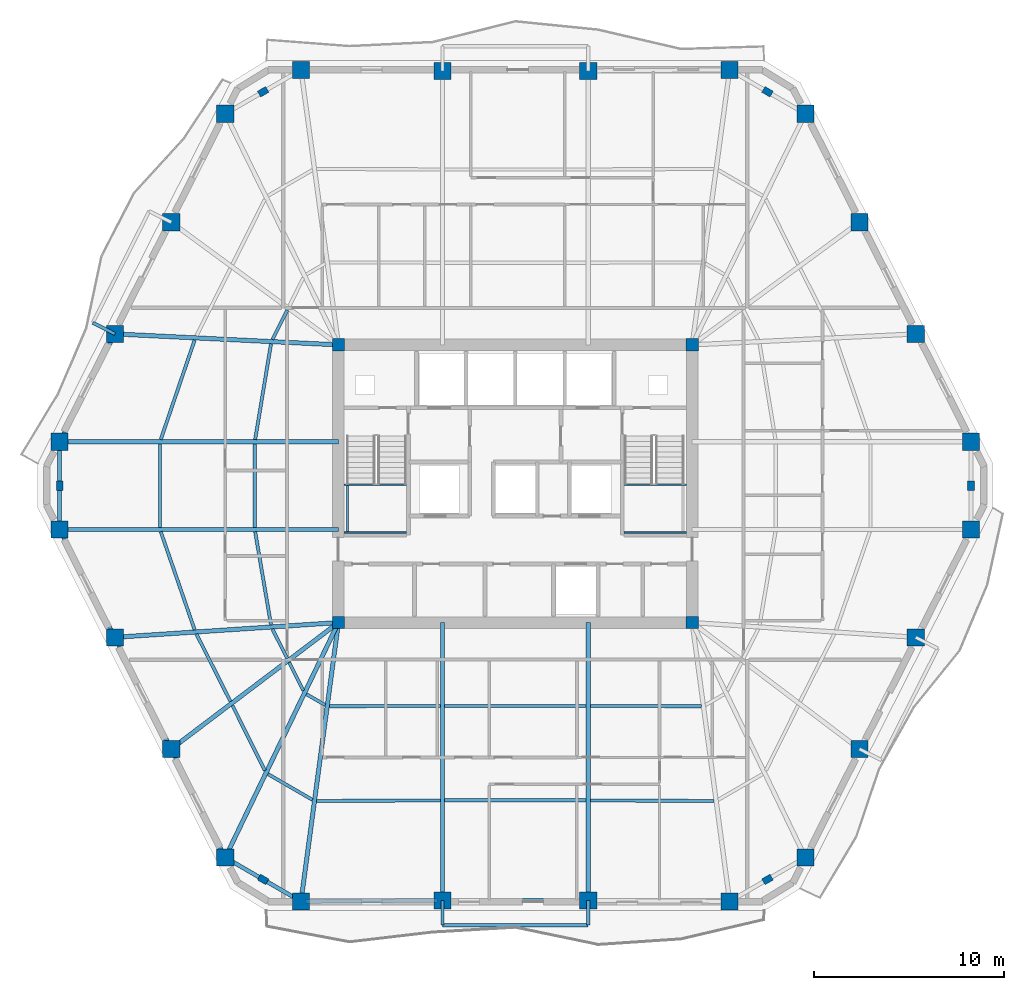
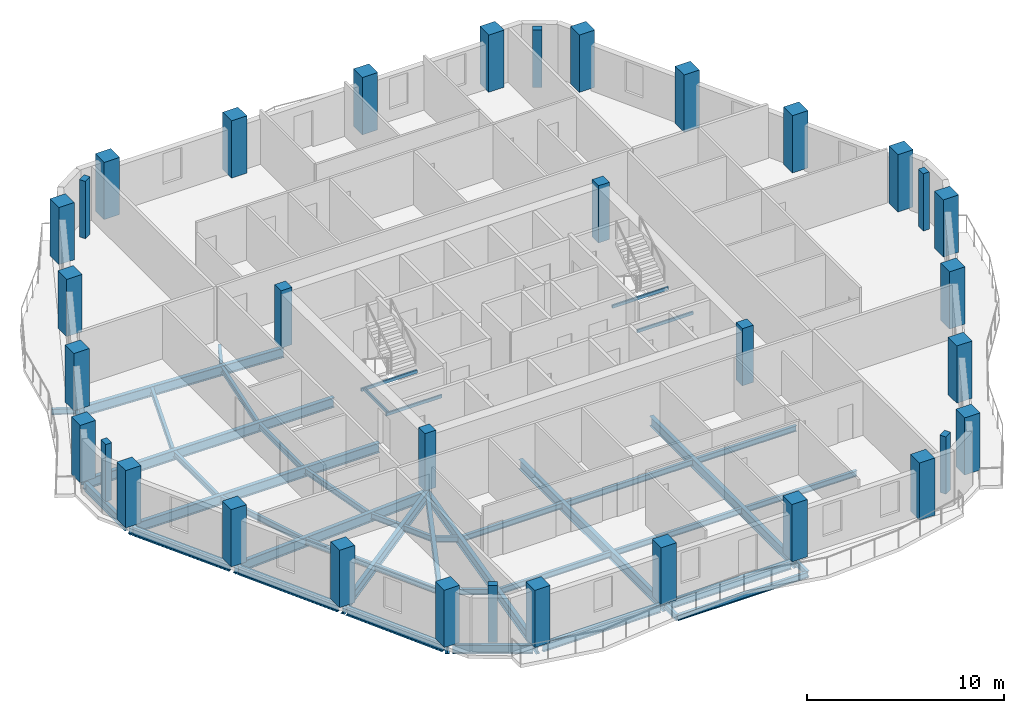
# One storey, part 1 of 10: 45 beams, 34 columns.
"""IFC4 building model written with IfcOpenShell, lengths in metres."""

from ifc_helpers import new_model, si_unit, direction, frame, origin, origin_2d, place, context, subcontext, project, spatial, rectangle, hollow_rectangle, i_section, extrude, material, material_profile, profile_set, type_object, element, save


model = new_model("IFC4")

# Units and contexts
model_context = context("Model", 3, precision=1e-05, world=origin(), true_north=direction((0.0, 1.0)))
body_context = subcontext(model_context, "Body", "Model", "MODEL_VIEW")
ifc_project = project(units=[si_unit("LENGTHUNIT", "METRE"), si_unit("AREAUNIT", "SQUARE_METRE"), si_unit("VOLUMEUNIT", "CUBIC_METRE"), si_unit("PLANEANGLEUNIT", "RADIAN"), si_unit("MASSUNIT", "GRAM", prefix="KILO")], contexts=[model_context])

# Site, building, storey
site_placement = place(None, origin())
site = spatial("IfcSite", under=ifc_project, at=site_placement, CompositionType="ELEMENT")
building_placement = place(site_placement, origin())
building = spatial("IfcBuilding", under=site, at=building_placement, Name="Cinnabar Lancet Tower", CompositionType="ELEMENT")
storey_placement = place(building_placement, frame((0.0, 0.0, 164.14990234375)))
storey = spatial("IfcBuildingStorey", under=building, at=storey_placement, Name="L43", CompositionType="ELEMENT", Elevation=164.14990234375)

# Columns
ifc_material_1 = material(Name="Concrete C60/75", Category="concrete")
ifc_material_profile_1 = material_profile(ifc_material_1, rectangle(XDim=0.64990234375, YDim=0.64990234375, at=origin_2d()), Name="RC-COL 650x650")
ifc_profile_set_1 = profile_set([ifc_material_profile_1], Name="Concrete C60/75")
column_type_1 = type_object("IfcColumnType", Name="STR-COL-CORE-650", PredefinedType="COLUMN", material=ifc_profile_set_1)
for number, where, z_axis, x_axis, name in (
    (1, (23.10009765625, 18.60009765625, 0.0), (0.0, 0.0, 1.0), (1.0, 0.0, 0.0), "L43 Core Corner Column SW"),
    (2, (41.699951171875, 18.60009765625, 0.0), (0.0, 0.0, 1.0), (1.0, 0.0, 0.0), "L43 Core Corner Column SE"),
    (3, (41.699951171875, 33.199951171875, 0.0), (0.0, 0.0, 1.0), (1.0, 0.0, 0.0), "L43 Core Corner Column NE"),
    (4, (23.10009765625, 33.199951171875, 0.0), (0.0, 0.0, 1.0), (1.0, 0.0, 0.0), "L43 Core Corner Column NW"),
):
    element("IfcColumn", number, at=place(storey_placement, frame(where, z_axis=z_axis, x_axis=x_axis)), inside=storey, type_object=column_type_1, Name=name, PredefinedType="COLUMN", context=body_context, shape_type="SweptSolid", body=[
        extrude(rectangle(XDim=0.64990234375, YDim=0.64990234375, at=origin_2d()), origin(), (0.0, 0.0, 1.0), 3.550048828125),
    ])
ifc_material_2 = material(Name="Concrete C60/75", Category="concrete")
ifc_material_profile_2 = material_profile(ifc_material_2, rectangle(XDim=0.5, YDim=0.35009765625, at=origin_2d()), Name="RC-PIL 500x350")
ifc_profile_set_2 = profile_set([ifc_material_profile_2], Name="Concrete C60/75")
column_type_2 = type_object("IfcColumnType", Name="STR-COL-PIL-500", PredefinedType="PILASTER", material=ifc_profile_set_2)
for number, where, z_axis, x_axis, name in (
    (5, (19.14111328125, 5.093017578125, 0.0), (0.0, 0.0, 1.0), (0.865160173452, -0.501495637342, 0.0), "L43 Chamfered Corner Pilaster 1"),
    (6, (45.658935546875, 5.093017578125, 0.0), (0.0, 0.0, 1.0), (0.865160173452, 0.501495637342, 0.0), "L43 Chamfered Corner Pilaster 2"),
    (7, (56.35693359375, 25.800048828125, 0.0), (0.0, 0.0, 1.0), (0.0, 1.0, 0.0), "L43 Chamfered Corner Pilaster 3"),
    (8, (45.658935546875, 46.508056640625, 0.0), (0.0, 0.0, 1.0), (-0.865160173452, 0.501495637342, 0.0), "L43 Chamfered Corner Pilaster 4"),
    (9, (19.14111328125, 46.508056640625, 0.0), (0.0, 0.0, 1.0), (-0.865160173452, -0.501495637342, 0.0), "L43 Chamfered Corner Pilaster 5"),
    (10, (8.443115234375, 25.800048828125, 0.0), (0.0, 0.0, 1.0), (0.0, -1.0, 0.0), "L43 Chamfered Corner Pilaster 6"),
):
    element("IfcColumn", number, at=place(storey_placement, frame(where, z_axis=z_axis, x_axis=x_axis)), inside=storey, type_object=column_type_2, Name=name, PredefinedType="PILASTER", context=body_context, shape_type="SweptSolid", body=[
        extrude(rectangle(XDim=0.5, YDim=0.35009765625, at=origin_2d()), origin(), (0.0, 0.0, 1.0), 3.550048828125),
    ])
ifc_material_3 = material(Name="Concrete C60/75", Category="concrete")
ifc_material_profile_3 = material_profile(ifc_material_3, rectangle(XDim=0.89990234375, YDim=0.89990234375, at=origin_2d()), Name="RC-COL 900x900")
ifc_profile_set_3 = profile_set([ifc_material_profile_3], Name="Concrete C60/75")
column_type_3 = type_object("IfcColumnType", Name="STR-COL-TUBE-900", PredefinedType="COLUMN", material=ifc_profile_set_3)
for number, where, z_axis, x_axis, name in (
    (11, (21.131103515625, 3.93896484375, 0.0), (0.0, 0.0, 1.0), (1.0, 0.0, 0.0), "L43 Perimeter Tube Column 1"),
    (12, (28.568115234375, 3.991943359375, 0.0), (0.0, 0.0, 1.0), (1.0, 0.0, 0.0), "L43 Perimeter Tube Column 2"),
    (13, (36.23193359375, 3.991943359375, 0.0), (0.0, 0.0, 1.0), (1.0, 0.0, 0.0), "L43 Perimeter Tube Column 3"),
    (14, (43.6689453125, 3.93896484375, 0.0), (0.0, 0.0, 1.0), (1.0, 0.0, 0.0), "L43 Perimeter Tube Column 4"),
    (15, (47.64892578125, 6.24609375, 0.0), (0.0, 0.0, 1.0), (1.0, 0.0, 0.0), "L43 Perimeter Tube Column 5"),
    (16, (50.489013671875, 11.955078125, 0.0), (0.0, 0.0, 1.0), (1.0, 0.0, 0.0), "L43 Perimeter Tube Column 6"),
    (17, (53.451904296875, 17.823974609375, 0.0), (0.0, 0.0, 1.0), (1.0, 0.0, 0.0), "L43 Perimeter Tube Column 7"),
    (18, (56.35693359375, 23.490966796875, 0.0), (0.0, 0.0, 1.0), (1.0, 0.0, 0.0), "L43 Perimeter Tube Column 8"),
    (19, (56.35693359375, 28.10888671875, 0.0), (0.0, 0.0, 1.0), (1.0, 0.0, 0.0), "L43 Perimeter Tube Column 9"),
    (20, (53.451904296875, 33.77587890625, 0.0), (0.0, 0.0, 1.0), (1.0, 0.0, 0.0), "L43 Perimeter Tube Column 10"),
    (21, (50.489013671875, 39.64501953125, 0.0), (0.0, 0.0, 1.0), (1.0, 0.0, 0.0), "L43 Perimeter Tube Column 11"),
    (22, (47.64892578125, 45.35400390625, 0.0), (0.0, 0.0, 1.0), (1.0, 0.0, 0.0), "L43 Perimeter Tube Column 12"),
    (23, (43.6689453125, 47.660888671875, 0.0), (0.0, 0.0, 1.0), (1.0, 0.0, 0.0), "L43 Perimeter Tube Column 13"),
    (24, (36.23193359375, 47.60791015625, 0.0), (0.0, 0.0, 1.0), (1.0, 0.0, 0.0), "L43 Perimeter Tube Column 14"),
    (25, (28.568115234375, 47.60791015625, 0.0), (0.0, 0.0, 1.0), (1.0, 0.0, 0.0), "L43 Perimeter Tube Column 15"),
    (26, (21.131103515625, 47.660888671875, 0.0), (0.0, 0.0, 1.0), (1.0, 0.0, 0.0), "L43 Perimeter Tube Column 16"),
    (27, (17.15087890625, 45.35400390625, 0.0), (0.0, 0.0, 1.0), (1.0, 0.0, 0.0), "L43 Perimeter Tube Column 17"),
    (28, (14.31103515625, 39.64501953125, 0.0), (0.0, 0.0, 1.0), (1.0, 0.0, 0.0), "L43 Perimeter Tube Column 18"),
    (29, (11.347900390625, 33.77587890625, 0.0), (0.0, 0.0, 1.0), (1.0, 0.0, 0.0), "L43 Perimeter Tube Column 19"),
    (30, (8.443115234375, 28.10888671875, 0.0), (0.0, 0.0, 1.0), (1.0, 0.0, 0.0), "L43 Perimeter Tube Column 20"),
    (31, (8.443115234375, 23.490966796875, 0.0), (0.0, 0.0, 1.0), (1.0, 0.0, 0.0), "L43 Perimeter Tube Column 21"),
    (32, (11.347900390625, 17.823974609375, 0.0), (0.0, 0.0, 1.0), (1.0, 0.0, 0.0), "L43 Perimeter Tube Column 22"),
    (33, (14.31103515625, 11.955078125, 0.0), (0.0, 0.0, 1.0), (1.0, 0.0, 0.0), "L43 Perimeter Tube Column 23"),
    (34, (17.15087890625, 6.24609375, 0.0), (0.0, 0.0, 1.0), (1.0, 0.0, 0.0), "L43 Perimeter Tube Column 24"),
):
    element("IfcColumn", number, at=place(storey_placement, frame(where, z_axis=z_axis, x_axis=x_axis)), inside=storey, type_object=column_type_3, Name=name, PredefinedType="COLUMN", context=body_context, shape_type="SweptSolid", body=[
        extrude(rectangle(XDim=0.89990234375, YDim=0.89990234375, at=origin_2d()), origin(), (0.0, 0.0, 1.0), 3.550048828125),
    ])

# Beams
ifc_material_4 = material(Name="Structural steel S355", Category="steel")
ifc_material_profile_4 = material_profile(ifc_material_4, i_section(OverallWidth=0.17138671875, OverallDepth=0.35498046875, WebThickness=0.00732421875, FlangeThickness=0.011474609375, FilletRadius=0.01025390625, at=origin_2d()), Name="UKB 356x171x51")
ifc_profile_set_4 = profile_set([ifc_material_profile_4], Name="Structural steel S355")
beam_type_1 = type_object("IfcBeamType", Name="STR-BM-JST-356", PredefinedType="JOIST", material=ifc_profile_set_4)
beam_1_placement = place(storey_placement, frame((13.759033203125, 23.376953125, -0.387939453125), z_axis=(0.326162915393, -0.945313573701, 0.0), x_axis=(0.945313573701, 0.326162915393, 0.0)))
element("IfcBeam", 35, at=beam_1_placement, inside=storey, type_object=beam_type_1, Name="L43 Secondary Floor Joist 1", PredefinedType="JOIST", context=body_context, shape_type="SweptSolid", body=[
    extrude(i_section(OverallWidth=0.17138671875, OverallDepth=0.35498046875, WebThickness=0.00732421875, FlangeThickness=0.011474609375, FilletRadius=0.01025390625, at=origin_2d()), origin(), (0.0, 0.0, 1.0), 5.46044921875),
])
beam_2_placement = place(storey_placement, frame((18.721923828125, 23.376953125, -0.387939453125), z_axis=(0.167697718414, -0.985838463055, 0.0), x_axis=(0.985838463055, 0.167697718414, 0.0)))
element("IfcBeam", 36, at=beam_2_placement, inside=storey, type_object=beam_type_1, Name="L43 Secondary Floor Joist 2", PredefinedType="JOIST", context=body_context, shape_type="SweptSolid", body=[
    extrude(i_section(OverallWidth=0.17138671875, OverallDepth=0.35498046875, WebThickness=0.00732421875, FlangeThickness=0.011474609375, FilletRadius=0.01025390625, at=origin_2d()), origin(), (0.0, 0.0, 1.0), 4.96728515625),
])
beam_3_placement = place(storey_placement, frame((15.635009765625, 17.992919921875, -0.387939453125), z_axis=(0.450656035687, -0.892697674187, 0.0), x_axis=(0.892697674187, 0.450656035687, 0.0)))
element("IfcBeam", 37, at=beam_3_placement, inside=storey, type_object=beam_type_1, Name="L43 Secondary Floor Joist 3", PredefinedType="JOIST", context=body_context, shape_type="SweptSolid", body=[
    extrude(i_section(OverallWidth=0.17138671875, OverallDepth=0.35498046875, WebThickness=0.00732421875, FlangeThickness=0.011474609375, FilletRadius=0.01025390625, at=origin_2d()), origin(), (0.0, 0.0, 1.0), 3.9677734375),
])
beam_4_placement = place(storey_placement, frame((19.6298828125, 18.257080078125, -0.387939453125), z_axis=(0.45064755491, -0.892701955444, 0.0), x_axis=(0.892701955444, 0.45064755491, 0.0)))
element("IfcBeam", 38, at=beam_4_placement, inside=storey, type_object=beam_type_1, Name="L43 Secondary Floor Joist 4", PredefinedType="JOIST", context=body_context, shape_type="SweptSolid", body=[
    extrude(i_section(OverallWidth=0.17138671875, OverallDepth=0.35498046875, WebThickness=0.00732421875, FlangeThickness=0.011474609375, FilletRadius=0.01025390625, at=origin_2d()), origin(), (0.0, 0.0, 1.0), 1.733154296875),
])
beam_5_placement = place(storey_placement, frame((17.527099609375, 14.242919921875, -0.387939453125), z_axis=(0.445320605596, -0.895371184611, 0.0), x_axis=(0.895371184611, 0.445320605596, 0.0)))
element("IfcBeam", 39, at=beam_5_placement, inside=storey, type_object=beam_type_1, Name="L43 Secondary Floor Joist 5", PredefinedType="JOIST", context=body_context, shape_type="SweptSolid", body=[
    extrude(i_section(OverallWidth=0.17138671875, OverallDepth=0.35498046875, WebThickness=0.00732421875, FlangeThickness=0.011474609375, FilletRadius=0.01025390625, at=origin_2d()), origin(), (0.0, 0.0, 1.0), 3.819580078125),
])
beam_6_placement = place(storey_placement, frame((20.514892578125, 16.5029296875, -0.387939453125), z_axis=(0.445322008813, -0.895370486708, 0.0), x_axis=(0.895370486708, 0.445322008813, 0.0)))
element("IfcBeam", 40, at=beam_6_placement, inside=storey, type_object=beam_type_1, Name="L43 Secondary Floor Joist 6", PredefinedType="JOIST", context=body_context, shape_type="SweptSolid", body=[
    extrude(i_section(OverallWidth=0.17138671875, OverallDepth=0.35498046875, WebThickness=0.00732421875, FlangeThickness=0.011474609375, FilletRadius=0.01025390625, at=origin_2d()), origin(), (0.0, 0.0, 1.0), 1.65283203125),
])
beam_7_placement = place(storey_placement, frame((19.39208984375, 10.635986328125, -0.387939453125), z_axis=(0.865150214692, -0.501512817403, 0.0), x_axis=(0.501512817403, 0.865150214692, 0.0)))
element("IfcBeam", 41, at=beam_7_placement, inside=storey, type_object=beam_type_1, Name="L43 Secondary Floor Joist 7", PredefinedType="JOIST", context=body_context, shape_type="SweptSolid", body=[
    extrude(i_section(OverallWidth=0.17138671875, OverallDepth=0.35498046875, WebThickness=0.00732421875, FlangeThickness=0.011474609375, FilletRadius=0.01025390625, at=origin_2d()), origin(), (0.0, 0.0, 1.0), 2.70556640625),
])
beam_8_placement = place(storey_placement, frame((21.4140625, 14.8359375, -0.387939453125), z_axis=(0.865426285481, -0.501036270542, 0.0), x_axis=(0.501036270542, 0.865426285481, 0.0)))
element("IfcBeam", 42, at=beam_8_placement, inside=storey, type_object=beam_type_1, Name="L43 Secondary Floor Joist 8", PredefinedType="JOIST", context=body_context, shape_type="SweptSolid", body=[
    extrude(i_section(OverallWidth=0.17138671875, OverallDepth=0.35498046875, WebThickness=0.00732421875, FlangeThickness=0.011474609375, FilletRadius=0.01025390625, at=origin_2d()), origin(), (0.0, 0.0, 1.0), 1.1416015625),
])
beam_9_placement = place(storey_placement, frame((21.955078125, 9.218017578125, -0.387939453125), z_axis=(0.999987891549, 0.004921052359, 0.0), x_axis=(-0.004921052359, 0.999987891549, 0.0)))
element("IfcBeam", 43, at=beam_9_placement, inside=storey, type_object=beam_type_1, Name="L43 Secondary Floor Joist 9", PredefinedType="JOIST", context=body_context, shape_type="SweptSolid", body=[
    extrude(i_section(OverallWidth=0.17138671875, OverallDepth=0.35498046875, WebThickness=0.00732421875, FlangeThickness=0.011474609375, FilletRadius=0.01025390625, at=origin_2d()), origin(), (0.0, 0.0, 1.0), 6.4990234375),
])
beam_10_placement = place(storey_placement, frame((22.6240234375, 14.201904296875, -0.387939453125), z_axis=(0.999996629591, 0.002596306157, 0.0), x_axis=(-0.002596306157, 0.999996629591, 0.0)))
element("IfcBeam", 44, at=beam_10_placement, inside=storey, type_object=beam_type_1, Name="L43 Secondary Floor Joist 10", PredefinedType="JOIST", context=body_context, shape_type="SweptSolid", body=[
    extrude(i_section(OverallWidth=0.17138671875, OverallDepth=0.35498046875, WebThickness=0.00732421875, FlangeThickness=0.011474609375, FilletRadius=0.01025390625, at=origin_2d()), origin(), (0.0, 0.0, 1.0), 5.830078125),
])
for number, where, z_axis, x_axis, name in (
    (45, (28.681884765625, 9.2509765625, -0.387939453125), (1.0, 0.0, 0.0), (0.0, 1.0, 0.0), "L43 Secondary Floor Joist 11"),
    (46, (28.681884765625, 14.218017578125, -0.387939453125), (1.0, 0.0, 0.0), (0.0, 1.0, 0.0), "L43 Secondary Floor Joist 12"),
):
    element("IfcBeam", number, at=place(storey_placement, frame(where, z_axis=z_axis, x_axis=x_axis)), inside=storey, type_object=beam_type_1, Name=name, PredefinedType="JOIST", context=body_context, shape_type="SweptSolid", body=[
        extrude(i_section(OverallWidth=0.17138671875, OverallDepth=0.35498046875, WebThickness=0.00732421875, FlangeThickness=0.011474609375, FilletRadius=0.01025390625, at=origin_2d()), origin(), (0.0, 0.0, 1.0), 7.43603515625),
    ])
beam_11_placement = place(storey_placement, frame((36.345947265625, 9.25, -0.387939453125), z_axis=(0.999987891549, -0.004921052359, 0.0), x_axis=(0.004921052359, 0.999987891549, 0.0)))
element("IfcBeam", 47, at=beam_11_placement, inside=storey, type_object=beam_type_1, Name="L43 Secondary Floor Joist 13", PredefinedType="JOIST", context=body_context, shape_type="SweptSolid", body=[
    extrude(i_section(OverallWidth=0.17138671875, OverallDepth=0.35498046875, WebThickness=0.00732421875, FlangeThickness=0.011474609375, FilletRadius=0.01025390625, at=origin_2d()), origin(), (0.0, 0.0, 1.0), 6.4990234375),
])
beam_12_placement = place(storey_placement, frame((36.345947265625, 14.217041015625, -0.387939453125), z_axis=(0.999996629591, -0.002596306157, 0.0), x_axis=(0.002596306157, 0.999996629591, 0.0)))
element("IfcBeam", 48, at=beam_12_placement, inside=storey, type_object=beam_type_1, Name="L43 Secondary Floor Joist 14", PredefinedType="JOIST", context=body_context, shape_type="SweptSolid", body=[
    extrude(i_section(OverallWidth=0.17138671875, OverallDepth=0.35498046875, WebThickness=0.00732421875, FlangeThickness=0.011474609375, FilletRadius=0.01025390625, at=origin_2d()), origin(), (0.0, 0.0, 1.0), 5.830078125),
])
beam_13_placement = place(storey_placement, frame((20.410888671875, 35.030029296875, -0.387939453125), z_axis=(-0.45031262143, -0.892870955391, 0.0), x_axis=(0.892870955391, -0.45031262143, 0.0)))
element("IfcBeam", 49, at=beam_13_placement, inside=storey, type_object=beam_type_1, Name="L43 Secondary Floor Joist 44", PredefinedType="JOIST", context=body_context, shape_type="SweptSolid", body=[
    extrude(i_section(OverallWidth=0.17138671875, OverallDepth=0.35498046875, WebThickness=0.00732421875, FlangeThickness=0.011474609375, FilletRadius=0.01025390625, at=origin_2d()), origin(), (0.0, 0.0, 1.0), 1.731689453125),
])
beam_14_placement = place(storey_placement, frame((15.5400390625, 33.4560546875, -0.387939453125), z_axis=(-0.322342106762, -0.946623244067, 0.0), x_axis=(0.946623244067, -0.322342106762, 0.0)))
element("IfcBeam", 50, at=beam_14_placement, inside=storey, type_object=beam_type_1, Name="L43 Secondary Floor Joist 45", PredefinedType="JOIST", context=body_context, shape_type="SweptSolid", body=[
    extrude(i_section(OverallWidth=0.17138671875, OverallDepth=0.35498046875, WebThickness=0.00732421875, FlangeThickness=0.011474609375, FilletRadius=0.01025390625, at=origin_2d()), origin(), (0.0, 0.0, 1.0), 5.5283203125),
])
beam_15_placement = place(storey_placement, frame((19.555908203125, 33.259033203125, -0.387939453125), z_axis=(-0.163375154205, -0.98656401667, 0.0), x_axis=(0.98656401667, -0.163375154205, 0.0)))
element("IfcBeam", 51, at=beam_15_placement, inside=storey, type_object=beam_type_1, Name="L43 Secondary Floor Joist 46", PredefinedType="JOIST", context=body_context, shape_type="SweptSolid", body=[
    extrude(i_section(OverallWidth=0.17138671875, OverallDepth=0.35498046875, WebThickness=0.00732421875, FlangeThickness=0.011474609375, FilletRadius=0.01025390625, at=origin_2d()), origin(), (0.0, 0.0, 1.0), 5.104736328125),
])
for number, where, z_axis, x_axis, name in (
    (52, (13.719970703125, 27.9951171875, -0.387939453125), (0.0, -1.0, 0.0), (1.0, 0.0, 0.0), "L43 Secondary Floor Joist 47"),
    (53, (18.702880859375, 27.9951171875, -0.387939453125), (0.0, -1.0, 0.0), (1.0, 0.0, 0.0), "L43 Secondary Floor Joist 48"),
):
    element("IfcBeam", number, at=place(storey_placement, frame(where, z_axis=z_axis, x_axis=x_axis)), inside=storey, type_object=beam_type_1, Name=name, PredefinedType="JOIST", context=body_context, shape_type="SweptSolid", body=[
        extrude(i_section(OverallWidth=0.17138671875, OverallDepth=0.35498046875, WebThickness=0.00732421875, FlangeThickness=0.011474609375, FilletRadius=0.01025390625, at=origin_2d()), origin(), (0.0, 0.0, 1.0), 4.39013671875),
    ])
ifc_material_5 = material(Name="Structural steel S355", Category="steel")
ifc_material_profile_5 = material_profile(ifc_material_5, hollow_rectangle(XDim=0.10009765625, YDim=0.199951171875, WallThickness=0.008056640625, InnerFilletRadius=0.00390625, OuterFilletRadius=0.011962890625, at=origin_2d()), Name="RHS 200x100x8")
ifc_profile_set_5 = profile_set([ifc_material_profile_5], Name="Structural steel S355")
beam_type_2 = type_object("IfcBeamType", Name="STR-BM-LND-203", PredefinedType="BEAM", material=ifc_profile_set_5)
for number, where, z_axis, x_axis, name in (
    (54, (23.39990234375, 23.330078125, 1.47509765625), (1.0, 0.0, 0.0), (0.0, 1.0, 0.0), "L43 ST-1-L43 Landing Support Beam S"),
    (55, (23.39990234375, 25.844970703125, 1.47509765625), (1.0, 0.0, 0.0), (0.0, 1.0, 0.0), "L43 ST-1-L43 Landing Support Beam N"),
):
    element("IfcBeam", number, at=place(storey_placement, frame(where, z_axis=z_axis, x_axis=x_axis)), inside=storey, type_object=beam_type_2, Name=name, PredefinedType="BEAM", context=body_context, shape_type="SweptSolid", body=[
        extrude(hollow_rectangle(XDim=0.10009765625, YDim=0.199951171875, WallThickness=0.008056640625, InnerFilletRadius=0.00390625, OuterFilletRadius=0.011962890625, at=origin_2d()), origin(), (0.0, 0.0, 1.0), 3.280029296875),
    ])
beam_16_placement = place(storey_placement, frame((23.580078125, 23.3798828125, 1.47509765625), z_axis=(0.0, 1.0, 0.0), x_axis=(-1.0, 0.0, 0.0)))
element("IfcBeam", 56, at=beam_16_placement, inside=storey, type_object=beam_type_2, Name="L43 ST-1-L43 Landing Side Trimmer Beam", PredefinedType="BEAM", context=body_context, shape_type="SweptSolid", body=[
    extrude(hollow_rectangle(XDim=0.10009765625, YDim=0.199951171875, WallThickness=0.008056640625, InnerFilletRadius=0.00390625, OuterFilletRadius=0.011962890625, at=origin_2d()), origin(), (0.0, 0.0, 1.0), 2.4150390625),
])
for number, where, z_axis, x_axis, name in (
    (57, (38.1201171875, 23.330078125, 1.47509765625), (1.0, 0.0, 0.0), (0.0, 1.0, 0.0), "L43 ST-2-L43 Landing Support Beam S"),
    (58, (38.1201171875, 25.844970703125, 1.47509765625), (1.0, 0.0, 0.0), (0.0, 1.0, 0.0), "L43 ST-2-L43 Landing Support Beam N"),
):
    element("IfcBeam", number, at=place(storey_placement, frame(where, z_axis=z_axis, x_axis=x_axis)), inside=storey, type_object=beam_type_2, Name=name, PredefinedType="BEAM", context=body_context, shape_type="SweptSolid", body=[
        extrude(hollow_rectangle(XDim=0.10009765625, YDim=0.199951171875, WallThickness=0.008056640625, InnerFilletRadius=0.00390625, OuterFilletRadius=0.011962890625, at=origin_2d()), origin(), (0.0, 0.0, 1.0), 3.27978515625),
    ])
ifc_material_6 = material(Name="Structural steel S355", Category="steel")
ifc_material_profile_6 = material_profile(ifc_material_6, i_section(OverallWidth=0.209228515625, OverallDepth=0.533203125, WebThickness=0.010009765625, FlangeThickness=0.015625, FilletRadius=0.0126953125, at=origin_2d()), Name="UKB 533x210x92")
ifc_profile_set_6 = profile_set([ifc_material_profile_6], Name="Structural steel S355")
beam_type_3 = type_object("IfcBeamType", Name="STR-BM-SPN-533", PredefinedType="SPANDREL", material=ifc_profile_set_6)
beam_17_placement = place(storey_placement, frame((21.381103515625, 3.94091796875, -0.476806640625), z_axis=(0.999974980359, 0.007073800628, 0.0), x_axis=(-0.007073800628, 0.999974980359, 0.0)))
element("IfcBeam", 59, at=beam_17_placement, inside=storey, type_object=beam_type_3, Name="L43 Perimeter Spandrel 1", PredefinedType="SPANDREL", context=body_context, shape_type="SweptSolid", body=[
    extrude(i_section(OverallWidth=0.209228515625, OverallDepth=0.533203125, WebThickness=0.010009765625, FlangeThickness=0.015625, FilletRadius=0.0126953125, at=origin_2d()), origin(), (0.0, 0.0, 1.0), 6.937255859375),
])
beam_18_placement = place(storey_placement, frame((28.818115234375, 3.991943359375, -0.476806640625), z_axis=(1.0, 0.0, 0.0), x_axis=(0.0, 1.0, 0.0)))
element("IfcBeam", 60, at=beam_18_placement, inside=storey, type_object=beam_type_3, Name="L43 Perimeter Spandrel 2", PredefinedType="SPANDREL", context=body_context, shape_type="SweptSolid", body=[
    extrude(i_section(OverallWidth=0.209228515625, OverallDepth=0.533203125, WebThickness=0.010009765625, FlangeThickness=0.015625, FilletRadius=0.0126953125, at=origin_2d()), origin(), (0.0, 0.0, 1.0), 7.163818359375),
])
beam_19_placement = place(storey_placement, frame((11.23388671875, 33.553955078125, -0.476806640625), z_axis=(-0.456126618405, -0.889914888055, 0.0), x_axis=(0.889914888055, -0.456126618405, 0.0)))
element("IfcBeam", 61, at=beam_19_placement, inside=storey, type_object=beam_type_3, Name="L43 Perimeter Spandrel 19", PredefinedType="SPANDREL", context=body_context, shape_type="SweptSolid", body=[
    extrude(i_section(OverallWidth=0.209228515625, OverallDepth=0.533203125, WebThickness=0.010009765625, FlangeThickness=0.015625, FilletRadius=0.0126953125, at=origin_2d()), origin(), (0.0, 0.0, 1.0), 5.868896484375),
])
beam_20_placement = place(storey_placement, frame((8.443115234375, 27.85888671875, -0.476806640625), z_axis=(0.0, -1.0, 0.0), x_axis=(1.0, 0.0, 0.0)))
element("IfcBeam", 62, at=beam_20_placement, inside=storey, type_object=beam_type_3, Name="L43 Perimeter Spandrel 20", PredefinedType="SPANDREL", context=body_context, shape_type="SweptSolid", body=[
    extrude(i_section(OverallWidth=0.209228515625, OverallDepth=0.533203125, WebThickness=0.010009765625, FlangeThickness=0.015625, FilletRadius=0.0126953125, at=origin_2d()), origin(), (0.0, 0.0, 1.0), 4.117919921875),
])
beam_21_placement = place(storey_placement, frame((8.556884765625, 23.26904296875, -0.476806640625), z_axis=(0.456109733574, -0.889923542187, 0.0), x_axis=(0.889923542187, 0.456109733574, 0.0)))
element("IfcBeam", 63, at=beam_21_placement, inside=storey, type_object=beam_type_3, Name="L43 Perimeter Spandrel 21", PredefinedType="SPANDREL", context=body_context, shape_type="SweptSolid", body=[
    extrude(i_section(OverallWidth=0.209228515625, OverallDepth=0.533203125, WebThickness=0.010009765625, FlangeThickness=0.015625, FilletRadius=0.0126953125, at=origin_2d()), origin(), (0.0, 0.0, 1.0), 5.869140625),
])
beam_22_placement = place(storey_placement, frame((11.4609375, 17.60107421875, -0.476806640625), z_axis=(0.450570325924, -0.892740937449, 0.0), x_axis=(0.892740937449, 0.450570325924, 0.0)))
element("IfcBeam", 64, at=beam_22_placement, inside=storey, type_object=beam_type_3, Name="L43 Perimeter Spandrel 22", PredefinedType="SPANDREL", context=body_context, shape_type="SweptSolid", body=[
    extrude(i_section(OverallWidth=0.209228515625, OverallDepth=0.533203125, WebThickness=0.010009765625, FlangeThickness=0.015625, FilletRadius=0.0126953125, at=origin_2d()), origin(), (0.0, 0.0, 1.0), 6.07470703125),
])
beam_23_placement = place(storey_placement, frame((14.422119140625, 11.73095703125, -0.476806640625), z_axis=(0.445501068635, -0.89528140707, 0.0), x_axis=(0.89528140707, 0.445501068635, 0.0)))
element("IfcBeam", 65, at=beam_23_placement, inside=storey, type_object=beam_type_3, Name="L43 Perimeter Spandrel 23", PredefinedType="SPANDREL", context=body_context, shape_type="SweptSolid", body=[
    extrude(i_section(OverallWidth=0.209228515625, OverallDepth=0.533203125, WebThickness=0.010009765625, FlangeThickness=0.015625, FilletRadius=0.0126953125, at=origin_2d()), origin(), (0.0, 0.0, 1.0), 5.87646484375),
])
beam_24_placement = place(storey_placement, frame((17.366943359375, 6.12109375, -0.476806640625), z_axis=(0.865112299906, -0.501578217781, 0.0), x_axis=(0.501578217781, 0.865112299906, 0.0)))
element("IfcBeam", 66, at=beam_24_placement, inside=storey, type_object=beam_type_3, Name="L43 Perimeter Spandrel 24", PredefinedType="SPANDREL", context=body_context, shape_type="SweptSolid", body=[
    extrude(i_section(OverallWidth=0.209228515625, OverallDepth=0.533203125, WebThickness=0.010009765625, FlangeThickness=0.015625, FilletRadius=0.0126953125, at=origin_2d()), origin(), (0.0, 0.0, 1.0), 4.101318359375),
])
ifc_material_7 = material(Name="Structural steel S355", Category="steel")
ifc_material_profile_7 = material_profile(ifc_material_7, i_section(OverallWidth=0.228271484375, OverallDepth=0.607666015625, WebThickness=0.010986328125, FlangeThickness=0.017333984375, FilletRadius=0.0126953125, at=origin_2d()), Name="UKB 610x229x113")
ifc_profile_set_7 = profile_set([ifc_material_profile_7], Name="Structural steel S355")
beam_type_4 = type_object("IfcBeamType", Name="STR-BM-UKB610-113", PredefinedType="BEAM", material=ifc_profile_set_7)
beam_25_placement = place(storey_placement, frame((14.31103515625, 11.955078125, -0.513916015625), z_axis=(0.797675450227, 0.603086955675, 0.0), x_axis=(-0.603086955675, 0.797675450227, 0.0)))
element("IfcBeam", 67, at=beam_25_placement, inside=storey, type_object=beam_type_4, Name="L43 Corner Collector Girder 1", PredefinedType="BEAM", context=body_context, shape_type="SweptSolid", body=[
    extrude(i_section(OverallWidth=0.228271484375, OverallDepth=0.607666015625, WebThickness=0.010986328125, FlangeThickness=0.017333984375, FilletRadius=0.0126953125, at=origin_2d()), origin(), (0.0, 0.0, 1.0), 11.018310546875),
])
beam_26_placement = place(storey_placement, frame((21.131103515625, 3.93896484375, -0.513916015625), z_axis=(0.133105256814, 0.991101907277, 0.0), x_axis=(-0.991101907277, 0.133105256814, 0.0)))
element("IfcBeam", 68, at=beam_26_placement, inside=storey, type_object=beam_type_4, Name="L43 Primary Floor Girder 1", PredefinedType="BEAM", context=body_context, shape_type="SweptSolid", body=[
    extrude(i_section(OverallWidth=0.228271484375, OverallDepth=0.607666015625, WebThickness=0.010986328125, FlangeThickness=0.017333984375, FilletRadius=0.0126953125, at=origin_2d()), origin(), (0.0, 0.0, 1.0), 14.792724609375),
])
for number, where, z_axis, x_axis, name in (
    (69, (28.568115234375, 3.991943359375, -0.513916015625), (0.0, 1.0, 0.0), (-1.0, 0.0, 0.0), "L43 Primary Floor Girder 2"),
    (70, (36.23193359375, 3.991943359375, -0.513916015625), (0.0, 1.0, 0.0), (-1.0, 0.0, 0.0), "L43 Primary Floor Girder 3"),
):
    element("IfcBeam", number, at=place(storey_placement, frame(where, z_axis=z_axis, x_axis=x_axis)), inside=storey, type_object=beam_type_4, Name=name, PredefinedType="BEAM", context=body_context, shape_type="SweptSolid", body=[
        extrude(i_section(OverallWidth=0.228271484375, OverallDepth=0.607666015625, WebThickness=0.010986328125, FlangeThickness=0.017333984375, FilletRadius=0.0126953125, at=origin_2d()), origin(), (0.0, 0.0, 1.0), 14.608154296875),
    ])
beam_27_placement = place(storey_placement, frame((11.347900390625, 33.77587890625, -0.513916015625), z_axis=(0.99880136637, -0.048947221955, 0.0), x_axis=(0.048947221955, 0.99880136637, 0.0)))
element("IfcBeam", 71, at=beam_27_placement, inside=storey, type_object=beam_type_4, Name="L43 Primary Floor Girder 19", PredefinedType="BEAM", context=body_context, shape_type="SweptSolid", body=[
    extrude(i_section(OverallWidth=0.228271484375, OverallDepth=0.607666015625, WebThickness=0.010986328125, FlangeThickness=0.017333984375, FilletRadius=0.0126953125, at=origin_2d()), origin(), (0.0, 0.0, 1.0), 11.766357421875),
])
for number, where, z_axis, x_axis, name in (
    (72, (8.443115234375, 28.10888671875, -0.513916015625), (1.0, 0.0, 0.0), (0.0, 1.0, 0.0), "L43 Primary Floor Girder 20"),
    (73, (8.443115234375, 23.490966796875, -0.513916015625), (1.0, 0.0, 0.0), (0.0, 1.0, 0.0), "L43 Primary Floor Girder 21"),
):
    element("IfcBeam", number, at=place(storey_placement, frame(where, z_axis=z_axis, x_axis=x_axis)), inside=storey, type_object=beam_type_4, Name=name, PredefinedType="BEAM", context=body_context, shape_type="SweptSolid", body=[
        extrude(i_section(OverallWidth=0.228271484375, OverallDepth=0.607666015625, WebThickness=0.010986328125, FlangeThickness=0.017333984375, FilletRadius=0.0126953125, at=origin_2d()), origin(), (0.0, 0.0, 1.0), 14.656982421875),
    ])
beam_28_placement = place(storey_placement, frame((11.347900390625, 17.823974609375, -0.513916015625), z_axis=(0.997826421842, 0.065897131002, 0.0), x_axis=(-0.065897131002, 0.997826421842, 0.0)))
element("IfcBeam", 74, at=beam_28_placement, inside=storey, type_object=beam_type_4, Name="L43 Primary Floor Girder 22", PredefinedType="BEAM", context=body_context, shape_type="SweptSolid", body=[
    extrude(i_section(OverallWidth=0.228271484375, OverallDepth=0.607666015625, WebThickness=0.010986328125, FlangeThickness=0.017333984375, FilletRadius=0.0126953125, at=origin_2d()), origin(), (0.0, 0.0, 1.0), 11.77783203125),
])
beam_29_placement = place(storey_placement, frame((17.15087890625, 6.24609375, -0.513916015625), z_axis=(0.433874505515, 0.900973314513, 0.0), x_axis=(-0.900973314513, 0.433874505515, 0.0)))
element("IfcBeam", 75, at=beam_29_placement, inside=storey, type_object=beam_type_4, Name="L43 Primary Floor Girder 24", PredefinedType="BEAM", context=body_context, shape_type="SweptSolid", body=[
    extrude(i_section(OverallWidth=0.228271484375, OverallDepth=0.607666015625, WebThickness=0.010986328125, FlangeThickness=0.017333984375, FilletRadius=0.0126953125, at=origin_2d()), origin(), (0.0, 0.0, 1.0), 13.7119140625),
])
ifc_material_8 = material(Name="Structural steel S355", Category="steel")
ifc_material_profile_8 = material_profile(ifc_material_8, i_section(OverallWidth=0.17138671875, OverallDepth=0.35498046875, WebThickness=0.00732421875, FlangeThickness=0.011474609375, FilletRadius=0.01025390625, at=origin_2d()), Name="UKB 356x171x51")
ifc_profile_set_8 = profile_set([ifc_material_profile_8], Name="Structural steel S355")
beam_type_5 = type_object("IfcBeamType", Name="STR-BM-WAV-OUT", PredefinedType="BEAM", material=ifc_profile_set_8)
for number, where, z_axis, x_axis, name in (
    (76, (28.568115234375, 3.991943359375, -0.39794921875), (0.0, -1.0, 0.0), (1.0, 0.0, 0.0), "L43 Face 1 Balcony Outlooker A"),
    (77, (36.23193359375, 3.991943359375, -0.39794921875), (0.0, -1.0, 0.0), (1.0, 0.0, 0.0), "L43 Face 1 Balcony Outlooker B"),
    (78, (11.347900390625, 33.77587890625, -0.39794921875), (-0.892200264127, 0.451639998995, 0.0), (-0.451639998995, -0.892200264127, 0.0), "L43 Face 5 Balcony Outlooker B"),
):
    element("IfcBeam", number, at=place(storey_placement, frame(where, z_axis=z_axis, x_axis=x_axis)), inside=storey, type_object=beam_type_5, Name=name, PredefinedType="BEAM", context=body_context, shape_type="SweptSolid", body=[
        extrude(i_section(OverallWidth=0.17138671875, OverallDepth=0.35498046875, WebThickness=0.00732421875, FlangeThickness=0.011474609375, FilletRadius=0.01025390625, at=origin_2d()), origin(), (0.0, 0.0, 1.0), 1.300048828125),
    ])
ifc_material_9 = material(Name="Structural steel S355", Category="steel")
ifc_material_profile_9 = material_profile(ifc_material_9, i_section(OverallWidth=0.17138671875, OverallDepth=0.35498046875, WebThickness=0.00732421875, FlangeThickness=0.011474609375, FilletRadius=0.01025390625, at=origin_2d()), Name="UKB 356x171x51")
ifc_profile_set_9 = profile_set([ifc_material_profile_9], Name="Structural steel S355")
beam_type_6 = type_object("IfcBeamType", Name="STR-BM-WAV-TRIM", PredefinedType="SPANDREL", material=ifc_profile_set_9)
beam_30_placement = place(storey_placement, frame((28.568115234375, 2.69189453125, -0.39794921875), z_axis=(1.0, 0.0, 0.0), x_axis=(0.0, 1.0, 0.0)))
element("IfcBeam", 79, at=beam_30_placement, inside=storey, type_object=beam_type_6, Name="L43 Face 1 Balcony Edge Trimmer", PredefinedType="SPANDREL", context=body_context, shape_type="SweptSolid", body=[
    extrude(i_section(OverallWidth=0.17138671875, OverallDepth=0.35498046875, WebThickness=0.00732421875, FlangeThickness=0.011474609375, FilletRadius=0.01025390625, at=origin_2d()), origin(), (0.0, 0.0, 1.0), 7.663818359375),
])

save(model, "model.ifc")
